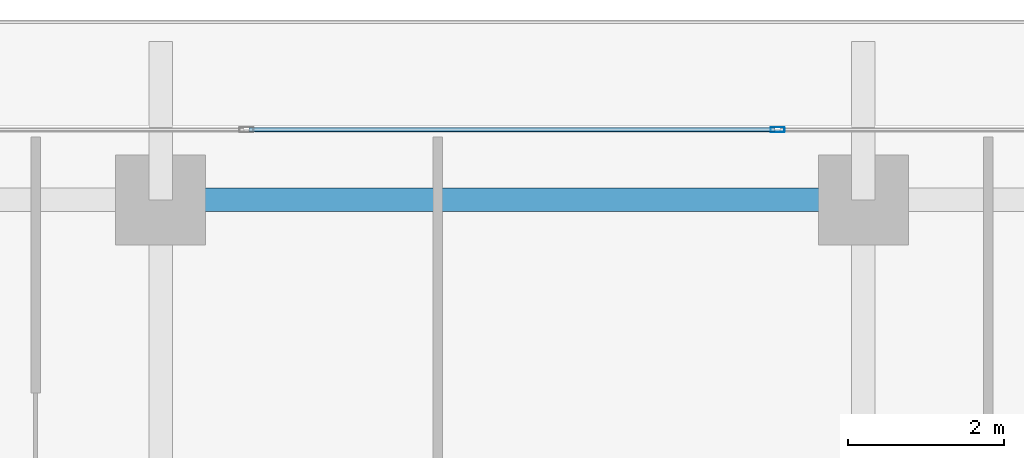
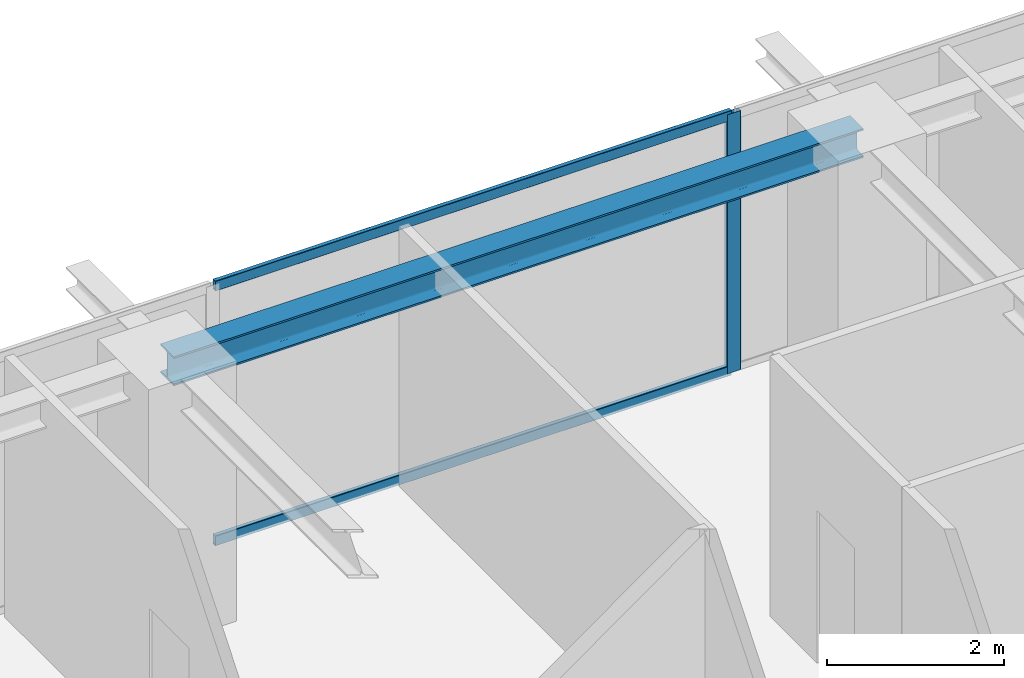
# One storey, part 20 of 36: 3 members, 1 beam, 1 element without a shape of its own.
"""IFC4 building model written with IfcOpenShell, lengths in metres."""

from ifc_helpers import new_model, si_unit, direction, frame, origin, origin_2d, place, context, subcontext, project, spatial, hollow_rectangle, i_section, extrude, source, transform, mapped, material, layer, layer_set, material_profile, profile_set, type_object, element, aggregate, save


model = new_model("IFC4")

# Units and contexts
model_context = context("Model", 3, precision=1e-05, world=origin(), true_north=direction((0.0, 1.0)))
body_context = subcontext(model_context, "Body", "Model", "MODEL_VIEW")
ifc_project = project(units=[si_unit("LENGTHUNIT", "METRE"), si_unit("AREAUNIT", "SQUARE_METRE"), si_unit("VOLUMEUNIT", "CUBIC_METRE"), si_unit("PLANEANGLEUNIT", "RADIAN"), si_unit("MASSUNIT", "GRAM", prefix="KILO")], contexts=[model_context])

# Site, building, storey
site_placement = place(None, origin())
site = spatial("IfcSite", under=ifc_project, at=site_placement, CompositionType="ELEMENT")
building_placement = place(site_placement, origin())
building = spatial("IfcBuilding", under=site, at=building_placement, Name="Serunith Strait Residences", CompositionType="ELEMENT")
storey_placement = place(building_placement, frame((0.0, 0.0, 225.85009765625)))
storey = spatial("IfcBuildingStorey", under=building, at=storey_placement, Name="L56", CompositionType="ELEMENT", Elevation=225.85009765625)

# Beam
ifc_material_1 = material(Name="Steel S355J2", Category="steel")
ifc_material_profile_1 = material_profile(ifc_material_1, i_section(OverallWidth=0.300048828125, OverallDepth=0.39990234375, WebThickness=0.013427734375, FlangeThickness=0.02392578125, FilletRadius=0.027099609375, at=origin_2d()), Name="HEB 400")
ifc_profile_set_1 = profile_set([ifc_material_profile_1], Name="Steel S355J2")
beam_type = type_object("IfcBeamType", Name="BM-HEB400", PredefinedType="BEAM", material=ifc_profile_set_1)
shared_shape_1 = source(origin(), body_context, "Body", "SweptSolid", [
    extrude(i_section(OverallWidth=0.300048828125, OverallDepth=0.39990234375, WebThickness=0.013427734375, FlangeThickness=0.02392578125, FilletRadius=0.027099609375, at=origin_2d()), origin(), (0.0, 0.0, 1.0), 9.0),
])
beam_placement = place(storey_placement, frame((36.89990234375, 48.300048828125, 3.386962890625), z_axis=(-1.0, 0.0, 0.0), x_axis=(0.0, -1.0, 0.0)))
element("IfcBeam", 1, at=beam_placement, inside=storey, type_object=beam_type, Name="L56 Perimeter Ring Beam 10", PredefinedType="BEAM", context=body_context, shape_type="MappedRepresentation", body=[
    mapped(shared_shape_1, transform((0.0, 0.0, 0.0), scale=1.0)),
])

# Curtain wall, members
ifc_material_2 = material(Name="Pale-Champagne Anodised Aluminium", Category="aluminium")
ifc_layer = layer(ifc_material_2, 0.199951171875, Name="Pale-Champagne Anodised Aluminium")
ifc_layer_set = layer_set([ifc_layer], Name="Pale-Champagne Anodised Aluminium")
curtain_wall_type = type_object("IfcCurtainWallType", Name="CW-SYS4", PredefinedType="NOTDEFINED", material=ifc_layer_set)
curtain_wall_placement = place(storey_placement, origin())
curtain_wall = element("IfcCurtainWall", 2, at=curtain_wall_placement, inside=storey, type_object=curtain_wall_type, Name="L56 N Unitised Fritted Curtain Wall", PredefinedType="NOTDEFINED")
ifc_material_profile_2 = material_profile(ifc_material_2, hollow_rectangle(XDim=0.06494140625, YDim=0.179931640625, WallThickness=0.00341796875, InnerFilletRadius=0.00537109375, OuterFilletRadius=0.0087890625, at=origin_2d()), Name="ALU 180x65x3.5")
ifc_profile_set_2 = profile_set([ifc_material_profile_2], Name="Pale-Champagne Anodised Aluminium")
member_type_1 = type_object("IfcMemberType", Name="CW-SYS4-MULL", PredefinedType="MULLION", material=ifc_profile_set_2)
shared_shape_2 = source(origin(), body_context, "Body", "SweptSolid", [
    extrude(hollow_rectangle(XDim=0.06494140625, YDim=0.179931640625, WallThickness=0.00341796875, InnerFilletRadius=0.00537109375, OuterFilletRadius=0.0087890625, at=origin_2d()), origin(), (0.0, 0.0, 1.0), 3.574951171875),
])
member_1_placement = place(storey_placement, frame((35.800048828125, 49.199951171875, 0.0), z_axis=(0.0, 0.0, 1.0), x_axis=(0.0, -1.0, 0.0)))
member_1 = element("IfcMember", 3, at=member_1_placement, type_object=member_type_1, Name="CW-4 mullion 3", PredefinedType="MULLION", context=body_context, shape_type="MappedRepresentation", body=[
    mapped(shared_shape_2, transform((0.0, 0.0, 0.0), scale=1.0)),
])
ifc_material_profile_3 = material_profile(ifc_material_2, hollow_rectangle(XDim=0.06005859375, YDim=0.139892578125, WallThickness=0.00341796875, InnerFilletRadius=0.00537109375, OuterFilletRadius=0.0087890625, at=origin_2d()), Name="ALU 140x60x3.5")
ifc_profile_set_3 = profile_set([ifc_material_profile_3], Name="Pale-Champagne Anodised Aluminium")
member_type_2 = type_object("IfcMemberType", Name="CW-SYS4-TRAN", PredefinedType="USERDEFINED", material=ifc_profile_set_3)
shared_shape_3 = source(origin(), body_context, "Body", "SweptSolid", [
    extrude(hollow_rectangle(XDim=0.06005859375, YDim=0.139892578125, WallThickness=0.00341796875, InnerFilletRadius=0.00537109375, OuterFilletRadius=0.0087890625, at=origin_2d()), origin(), (0.0, 0.0, 1.0), 6.735107421875),
])
member_2_placement = place(storey_placement, frame((35.767578125, 49.199951171875, 0.02978515625), z_axis=(-1.0, 0.0, 0.0), x_axis=(0.0, -1.0, 0.0)))
member_2 = element("IfcMember", 4, at=member_2_placement, type_object=member_type_2, Name="CW-4 transom 3.1", ObjectType="TRANSOM", PredefinedType="USERDEFINED", context=body_context, shape_type="MappedRepresentation", body=[
    mapped(shared_shape_3, transform((0.0, 0.0, 0.0), scale=1.0)),
])
member_3_placement = place(storey_placement, frame((35.767578125, 49.199951171875, 3.544921875), z_axis=(-1.0, 0.0, 0.0), x_axis=(0.0, -1.0, 0.0)))
member_3 = element("IfcMember", 5, at=member_3_placement, type_object=member_type_2, Name="CW-4 transom 3.2", ObjectType="TRANSOM", PredefinedType="USERDEFINED", context=body_context, shape_type="MappedRepresentation", body=[
    mapped(shared_shape_3, transform((0.0, 0.0, 0.0), scale=1.0)),
])
aggregate(curtain_wall, [member_1, member_2, member_3])

save(model, "model.ifc")
